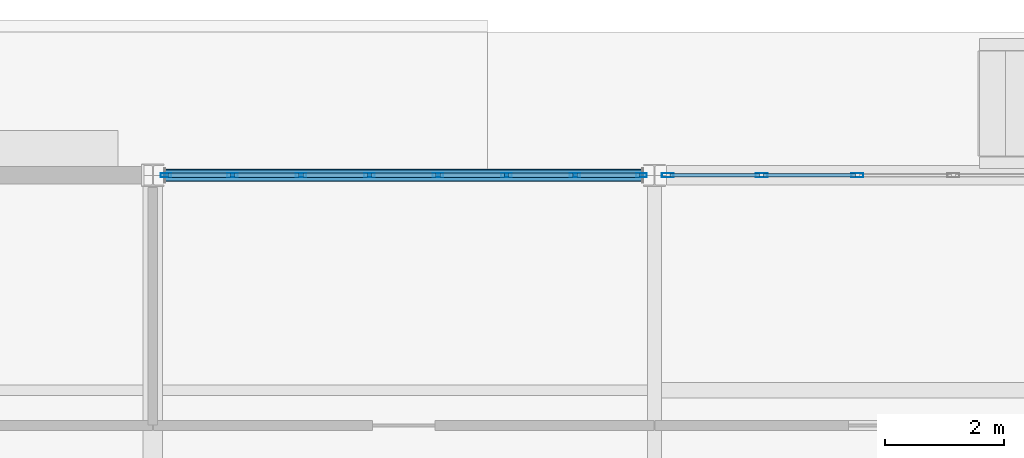
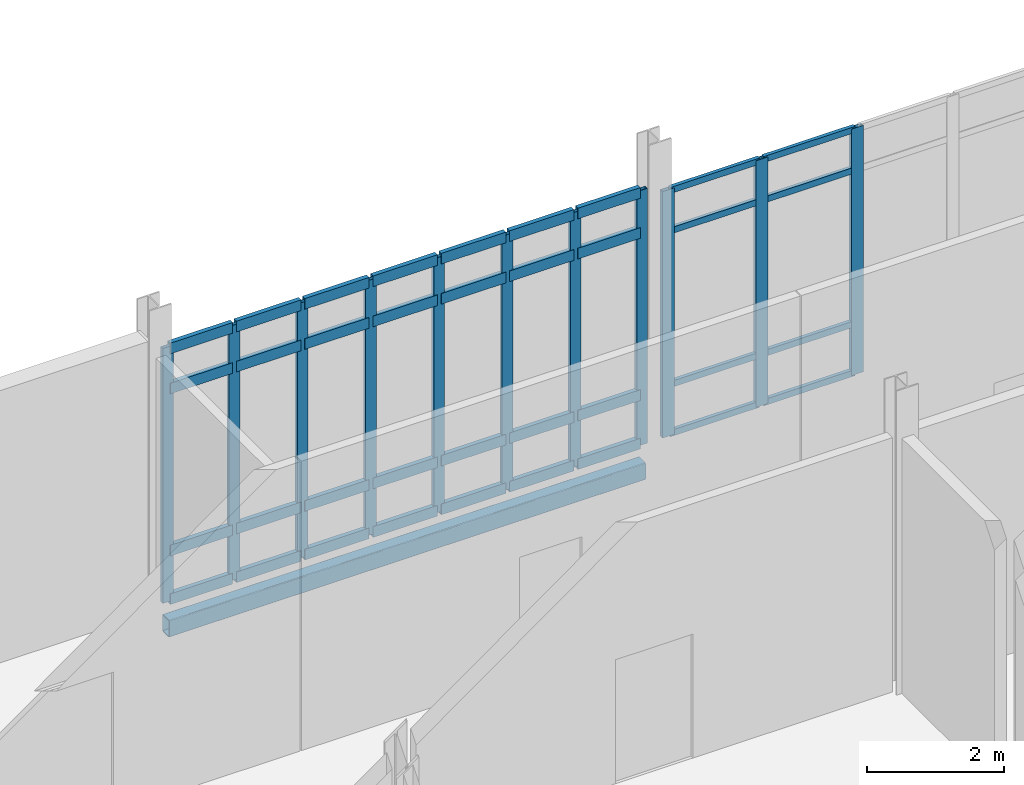
# One storey, part 96 of 229: 47 members, 1 beam, 2 elements without a shape of their own.
"""IFC4 building model written with IfcOpenShell, lengths in metres."""

import ifcopenshell
import ifcopenshell.guid

model = None  # the IFC model being written
_history = None  # IfcOwnerHistory: only IFC2X3 demands one
_inside = {}  # id of a spatial element -> (the spatial element, [elements in it])
_under = {}  # id of a project, library or spatial element -> (it, [spatial elements below it])
_declared = {}  # id of a project -> (the project, [libraries it declares])
_typed = {}  # id of a type object -> (the type object, [elements of that type])
_made_of = {}  # id of a material, layer set ... -> (it, [elements and type objects made of it])


def new_model(schema):
    """Start an empty IFC model of exactly this schema.

    Asked for "IFC4X3", IfcOpenShell would pick the latest addendum, in which some entities
    have other attributes; the version numbers below select the first issue.
    IFC2X3 requires an IfcOwnerHistory on every rooted entity: one is made here for all.
    """
    global model, _history
    if schema == "IFC4X3":
        model = ifcopenshell.file(schema_version=(4, 3, 0, 0))
    else:
        model = ifcopenshell.file(schema=schema)
    _inside.clear()
    _under.clear()
    _declared.clear()
    _typed.clear()
    _made_of.clear()
    _history = None
    if model.schema == "IFC2X3":
        org = make("IfcOrganization", Name="unknown")
        user = make(
            "IfcPersonAndOrganization",
            ThePerson=make("IfcPerson", FamilyName="unknown"),
            TheOrganization=org,
        )
        app = make(
            "IfcApplication",
            ApplicationDeveloper=org,
            Version="unknown",
            ApplicationFullName="unknown",
            ApplicationIdentifier="unknown",
        )
        _history = make(
            "IfcOwnerHistory",
            OwningUser=user,
            OwningApplication=app,
            ChangeAction="ADDED",
            CreationDate=0,
        )
    return model


def make(cls, **values):
    """One entity of the class cls with the attributes given. An attribute that is None is left unset."""
    return model.create_entity(
        cls, **{name: value for name, value in values.items() if value is not None}
    )


def rooted(cls, **values):
    """An entity with a GlobalId (a new one), such as an element, a storey or a relation."""
    return make(cls, GlobalId=ifcopenshell.guid.new(), OwnerHistory=_history, **values)


def si_unit(unit_type, name, prefix=None):
    """IfcSIUnit, for example si_unit("LENGTHUNIT", "METRE", prefix="MILLI")."""
    return make("IfcSIUnit", UnitType=unit_type, Prefix=prefix, Name=name)


def assignment(units):
    """IfcUnitAssignment: the units of a project."""
    return None if units is None else make("IfcUnitAssignment", Units=units)


def point(xyz):
    """IfcCartesianPoint."""
    return None if xyz is None else make("IfcCartesianPoint", Coordinates=xyz)


def direction(xyz):
    """IfcDirection."""
    return None if xyz is None else make("IfcDirection", DirectionRatios=xyz)


def frame(location, z_axis=None, x_axis=None):
    """IfcAxis2Placement3D, a coordinate frame: its origin and axes. An axis left out is left unset."""
    return make(
        "IfcAxis2Placement3D",
        Location=point(location),
        Axis=direction(z_axis),
        RefDirection=direction(x_axis),
    )


def frame_2d(location, x_axis=None):
    """IfcAxis2Placement2D, a coordinate frame in the plane: its origin and x axis."""
    return make(
        "IfcAxis2Placement2D", Location=point(location), RefDirection=direction(x_axis)
    )


def origin():
    """The frame at (0, 0, 0) with its axes left unset."""
    return frame((0.0, 0.0, 0.0))


def origin_2d():
    """The frame at (0, 0) in the plane with its x axis left unset."""
    return frame_2d((0.0, 0.0))


def place(relative_to, where):
    """IfcLocalPlacement: puts the frame where relative to a parent placement (None: the world)."""
    return make(
        "IfcLocalPlacement", PlacementRelTo=relative_to, RelativePlacement=where
    )


def context(
    kind, dimensions, precision=None, world=None, true_north=None, identifier=None
):
    """IfcGeometricRepresentationContext, for example the 3D "Model" context."""
    return make(
        "IfcGeometricRepresentationContext",
        ContextIdentifier=identifier,
        ContextType=kind,
        CoordinateSpaceDimension=dimensions,
        Precision=precision,
        WorldCoordinateSystem=world,
        TrueNorth=true_north,
    )


def subcontext(parent, identifier, kind, view, scale=None):
    """IfcGeometricRepresentationSubContext, for example "Body" below "Model"."""
    return make(
        "IfcGeometricRepresentationSubContext",
        ContextIdentifier=identifier,
        ContextType=kind,
        ParentContext=parent,
        TargetScale=scale,
        TargetView=view,
    )


def project(units=None, contexts=None):
    """IfcProject with its units and contexts."""
    return rooted(
        "IfcProject",
        Name="project",
        RepresentationContexts=contexts,
        UnitsInContext=assignment(units),
    )


def spatial(cls, under=None, at=None, **own):
    """A site, building, storey or space (cls), placed at a placement, below another one or the project."""
    s = rooted(cls, ObjectPlacement=at, **own)
    if under is not None:
        _under.setdefault(under.id(), (under, []))[1].append(s)
    return s


def profile(cls, at=None, kind="AREA", **sizes):
    """A parametric profile (cls). Its sizes go by their IFC names, for example OverallWidth=200.0."""
    return make(cls, ProfileType=kind, Position=at, **sizes)


def hollow_rectangle(**sizes):
    """IfcRectangleHollowProfileDef."""
    return profile("IfcRectangleHollowProfileDef", **sizes)


def extrude(swept, where, along, depth):
    """IfcExtrudedAreaSolid: the profile swept, set in the frame where, extruded along a direction by depth."""
    return make(
        "IfcExtrudedAreaSolid",
        SweptArea=swept,
        Position=where,
        ExtrudedDirection=direction(along),
        Depth=depth,
    )


def shape(context_of_items, identifier, shape_type, items):
    """IfcShapeRepresentation: the items that make up one representation, for example the "Body"."""
    return make(
        "IfcShapeRepresentation",
        ContextOfItems=context_of_items,
        RepresentationIdentifier=identifier,
        RepresentationType=shape_type,
        Items=items,
    )


def material(Name=None, Category=None):
    """IfcMaterial."""
    return make("IfcMaterial", Name=Name, Category=Category)


def layer(
    of_material, thickness, ventilated=None, Name=None, Category=None, Priority=None
):
    """IfcMaterialLayer: one layer of a wall or slab, of a material (None: an air gap)."""
    return make(
        "IfcMaterialLayer",
        Material=of_material,
        LayerThickness=thickness,
        IsVentilated=ventilated,
        Name=Name,
        Category=Category,
        Priority=Priority,
    )


def layer_set(layers, Name=None):
    """IfcMaterialLayerSet."""
    return make("IfcMaterialLayerSet", MaterialLayers=layers, LayerSetName=Name)


def material_profile(
    of_material, cross_section, Name=None, Category=None, Priority=None
):
    """IfcMaterialProfile: a cross section and its material."""
    return make(
        "IfcMaterialProfile",
        Name=Name,
        Material=of_material,
        Profile=cross_section,
        Priority=Priority,
        Category=Category,
    )


def profile_set(profiles, Name=None, composite=None):
    """IfcMaterialProfileSet."""
    return make(
        "IfcMaterialProfileSet",
        Name=Name,
        MaterialProfiles=profiles,
        CompositeProfile=composite,
    )


def made_of(thing, what):
    """Note that an element or type object is made of a material, layer set ...; save() writes the relation."""
    if what is not None:
        _made_of.setdefault(what.id(), (what, []))[1].append(thing)
    return thing


def type_object(cls, material=None, **own):
    """A type object (cls), such as IfcWallType, which elements share."""
    return made_of(rooted(cls, **own), material)


def element(
    cls,
    number,
    at=None,
    inside=None,
    cuts=None,
    type_object=None,
    material=None,
    context=None,
    identifier="Body",
    shape_type=None,
    held_by="IfcProductDefinitionShape",
    body=None,
    shapes=None,
    **own,
):
    """One element of the class cls, such as IfcWall. Its Tag is "e" and its number.

    at: its placement. inside: the storey or other place that contains it. cuts: it is an
    opening in that element (IfcRelVoidsElement). A single representation is given by context,
    identifier, shape_type and body (its items); several are given by shapes. held_by: the class
    of the entity that holds the representations. save() writes the other relations.
    """
    e = rooted(cls, Tag="e%d" % number, ObjectPlacement=at, **own)
    if body is not None:
        shapes = [shape(context, identifier, shape_type, body)]
    if shapes is not None:
        e.Representation = make(held_by, Representations=shapes)
    if inside is not None:
        _inside.setdefault(inside.id(), (inside, []))[1].append(e)
    if cuts is not None:
        rooted(
            "IfcRelVoidsElement", RelatingBuildingElement=cuts, RelatedOpeningElement=e
        )
    if type_object is not None:
        _typed.setdefault(type_object.id(), (type_object, []))[1].append(e)
    return made_of(e, material)


def aggregate(whole, parts):
    """IfcRelAggregates: a whole, such as a stair, and the parts it consists of."""
    return rooted("IfcRelAggregates", RelatingObject=whole, RelatedObjects=parts)


def save(model, path):
    """Write the relations noted so far, then the file.

    IfcRelAggregates (storeys below a building ...), IfcRelContainedInSpatialStructure (elements
    in a storey), IfcRelDefinesByType, IfcRelAssociatesMaterial and IfcRelDeclares: one each for
    every whole, place, type object, material and project.
    """
    for whole, parts in _under.values():
        aggregate(whole, parts)
    for where, things in _inside.values():
        rooted(
            "IfcRelContainedInSpatialStructure",
            RelatedElements=things,
            RelatingStructure=where,
        )
    for kind, things in _typed.values():
        rooted("IfcRelDefinesByType", RelatedObjects=things, RelatingType=kind)
    for what, things in _made_of.values():
        rooted("IfcRelAssociatesMaterial", RelatedObjects=things, RelatingMaterial=what)
    for by, libraries in _declared.values():
        rooted("IfcRelDeclares", RelatingContext=by, RelatedDefinitions=libraries)
    model.write(path)


model = new_model("IFC4")

# Units and contexts
model_context = context("Model", 3, precision=1e-05, world=origin(), true_north=direction((0.0, 1.0)))
body_context = subcontext(model_context, "Body", "Model", "MODEL_VIEW")
ifc_project = project(units=[si_unit("LENGTHUNIT", "METRE"), si_unit("AREAUNIT", "SQUARE_METRE"), si_unit("VOLUMEUNIT", "CUBIC_METRE"), si_unit("PLANEANGLEUNIT", "RADIAN"), si_unit("MASSUNIT", "GRAM", prefix="KILO")], contexts=[model_context])

# Site, building, storey
site_placement = place(None, origin())
site = spatial("IfcSite", under=ifc_project, at=site_placement, CompositionType="ELEMENT")
building_placement = place(site_placement, origin())
building = spatial("IfcBuilding", under=site, at=building_placement, Name="Calvrana Isthmian Art Gallery", CompositionType="ELEMENT")
storey_placement = place(building_placement, origin())
storey = spatial("IfcBuildingStorey", under=building, at=storey_placement, Name="L00", CompositionType="ELEMENT", Elevation=0.0)

# Beam
ifc_material_1 = material(Name="Steel ASTM A500 Gr C", Category="steel")
ifc_material_profile_1 = material_profile(ifc_material_1, hollow_rectangle(XDim=0.203125, YDim=0.3046875, WallThickness=0.0126953125, OuterFilletRadius=0.02490234375, at=origin_2d()), Name="HSS305X203X12.7")
ifc_profile_set_1 = profile_set([ifc_material_profile_1], Name="Steel ASTM A500 Gr C")
beam_type = type_object("IfcBeamType", Name="BM-SP-HSS305", PredefinedType="SPANDREL", material=ifc_profile_set_1)
beam_placement = place(storey_placement, frame((38.597900390625, 112.800048828125, -0.4375), z_axis=(1.0, 0.0, 0.0), x_axis=(0.0, 1.0, 0.0)))
element("IfcBeam", 1, at=beam_placement, inside=storey, type_object=beam_type, Name="Girder X L00 06-07/P", PredefinedType="SPANDREL", context=body_context, shape_type="SweptSolid", body=[
    extrude(hollow_rectangle(XDim=0.203125, YDim=0.3046875, WallThickness=0.0126953125, OuterFilletRadius=0.02490234375, at=origin_2d()), origin(), (0.0, 0.0, 1.0), 8.005126953125),
])

# Curtain wall, members
ifc_material_2 = material(Name="Anodized bronze aluminium 6063-T6", Category="aluminium")
ifc_layer_1 = layer(ifc_material_2, 0.179931640625, Name="Anodized bronze aluminium 6063-T6")
ifc_layer_set_1 = layer_set([ifc_layer_1], Name="Anodized bronze aluminium 6063-T6")
curtain_wall_type_1 = type_object("IfcCurtainWallType", Name="CW-STICK-080X45", PredefinedType="NOTDEFINED", material=ifc_layer_set_1)
curtain_wall_1_placement = place(storey_placement, origin())
curtain_wall_1 = element("IfcCurtainWall", 2, at=curtain_wall_1_placement, inside=storey, type_object=curtain_wall_type_1, Name="Curtain wall CW-044", PredefinedType="NOTDEFINED")
ifc_material_profile_2 = material_profile(ifc_material_2, hollow_rectangle(XDim=0.06494140625, YDim=0.179931640625, WallThickness=0.00439453125, at=origin_2d()), Name="CWM65X180")
ifc_profile_set_2 = profile_set([ifc_material_profile_2], Name="Anodized bronze aluminium 6063-T6")
member_type_1 = type_object("IfcMemberType", Name="CWM-CWM65X180", PredefinedType="MULLION", material=ifc_profile_set_2)
member_1_placement = place(storey_placement, frame((38.618896484375, 112.800048828125, 0.0), z_axis=(0.0, 0.0, 1.0), x_axis=(0.0, 1.0, 0.0)))
member_1 = element("IfcMember", 3, at=member_1_placement, type_object=member_type_1, Name="CW-044 mullion 1", PredefinedType="MULLION", context=body_context, shape_type="SweptSolid", body=[
    extrude(hollow_rectangle(XDim=0.06494140625, YDim=0.179931640625, WallThickness=0.00439453125, at=origin_2d()), origin(), (0.0, 0.0, 1.0), 4.528076171875),
])
member_2_placement = place(storey_placement, frame((39.733154296875, 112.800048828125, 0.0), z_axis=(0.0, 0.0, 1.0), x_axis=(0.0, 1.0, 0.0)))
member_2 = element("IfcMember", 4, at=member_2_placement, type_object=member_type_1, Name="CW-044 mullion 2", PredefinedType="MULLION", context=body_context, shape_type="SweptSolid", body=[
    extrude(hollow_rectangle(XDim=0.06494140625, YDim=0.179931640625, WallThickness=0.00439453125, at=origin_2d()), origin(), (0.0, 0.0, 1.0), 4.528076171875),
])
member_3_placement = place(storey_placement, frame((40.8798828125, 112.800048828125, 0.0), z_axis=(0.0, 0.0, 1.0), x_axis=(0.0, 1.0, 0.0)))
member_3 = element("IfcMember", 5, at=member_3_placement, type_object=member_type_1, Name="CW-044 mullion 3", PredefinedType="MULLION", context=body_context, shape_type="SweptSolid", body=[
    extrude(hollow_rectangle(XDim=0.06494140625, YDim=0.179931640625, WallThickness=0.00439453125, at=origin_2d()), origin(), (0.0, 0.0, 1.0), 4.528076171875),
])
member_4_placement = place(storey_placement, frame((42.026611328125, 112.800048828125, 0.0), z_axis=(0.0, 0.0, 1.0), x_axis=(0.0, 1.0, 0.0)))
member_4 = element("IfcMember", 6, at=member_4_placement, type_object=member_type_1, Name="CW-044 mullion 4", PredefinedType="MULLION", context=body_context, shape_type="SweptSolid", body=[
    extrude(hollow_rectangle(XDim=0.06494140625, YDim=0.179931640625, WallThickness=0.00439453125, at=origin_2d()), origin(), (0.0, 0.0, 1.0), 4.528076171875),
])
member_5_placement = place(storey_placement, frame((43.17333984375, 112.800048828125, 0.0), z_axis=(0.0, 0.0, 1.0), x_axis=(0.0, 1.0, 0.0)))
member_5 = element("IfcMember", 7, at=member_5_placement, type_object=member_type_1, Name="CW-044 mullion 5", PredefinedType="MULLION", context=body_context, shape_type="SweptSolid", body=[
    extrude(hollow_rectangle(XDim=0.06494140625, YDim=0.179931640625, WallThickness=0.00439453125, at=origin_2d()), origin(), (0.0, 0.0, 1.0), 4.528076171875),
])
member_6_placement = place(storey_placement, frame((44.320068359375, 112.800048828125, 0.0), z_axis=(0.0, 0.0, 1.0), x_axis=(0.0, 1.0, 0.0)))
member_6 = element("IfcMember", 8, at=member_6_placement, type_object=member_type_1, Name="CW-044 mullion 6", PredefinedType="MULLION", context=body_context, shape_type="SweptSolid", body=[
    extrude(hollow_rectangle(XDim=0.06494140625, YDim=0.179931640625, WallThickness=0.00439453125, at=origin_2d()), origin(), (0.0, 0.0, 1.0), 4.528076171875),
])
member_7_placement = place(storey_placement, frame((45.466796875, 112.800048828125, 0.0), z_axis=(0.0, 0.0, 1.0), x_axis=(0.0, 1.0, 0.0)))
member_7 = element("IfcMember", 9, at=member_7_placement, type_object=member_type_1, Name="CW-044 mullion 7", PredefinedType="MULLION", context=body_context, shape_type="SweptSolid", body=[
    extrude(hollow_rectangle(XDim=0.06494140625, YDim=0.179931640625, WallThickness=0.00439453125, at=origin_2d()), origin(), (0.0, 0.0, 1.0), 4.528076171875),
])
member_8_placement = place(storey_placement, frame((46.5810546875, 112.800048828125, 0.0), z_axis=(0.0, 0.0, 1.0), x_axis=(0.0, 1.0, 0.0)))
member_8 = element("IfcMember", 10, at=member_8_placement, type_object=member_type_1, Name="CW-044 mullion 8", PredefinedType="MULLION", context=body_context, shape_type="SweptSolid", body=[
    extrude(hollow_rectangle(XDim=0.06494140625, YDim=0.179931640625, WallThickness=0.00439453125, at=origin_2d()), origin(), (0.0, 0.0, 1.0), 4.528076171875),
])

ifc_layer_2 = layer(ifc_material_2, 0.179931640625, Name="Anodized bronze aluminium 6063-T6")
ifc_layer_set_2 = layer_set([ifc_layer_2], Name="Anodized bronze aluminium 6063-T6")
curtain_wall_type_2 = type_object("IfcCurtainWallType", Name="CW-UNIT-080X44", PredefinedType="USERDEFINED", material=ifc_layer_set_2)
curtain_wall_2_placement = place(storey_placement, origin())
curtain_wall_2 = element("IfcCurtainWall", 11, at=curtain_wall_2_placement, inside=storey, type_object=curtain_wall_type_2, Name="Curtain wall CW-045", ObjectType="UNITISED CURTAIN WALL", PredefinedType="USERDEFINED")
ifc_material_profile_3 = material_profile(ifc_material_2, hollow_rectangle(XDim=0.070068359375, YDim=0.199951171875, WallThickness=0.0048828125, at=origin_2d()), Name="CWM70X200")
ifc_profile_set_3 = profile_set([ifc_material_profile_3], Name="Anodized bronze aluminium 6063-T6")
member_type_2 = type_object("IfcMemberType", Name="CWM-CWM70X200", PredefinedType="MULLION", material=ifc_profile_set_3)
member_9_placement = place(storey_placement, frame((47.021484375, 112.800048828125, 0.0), z_axis=(0.0, 0.0, 1.0), x_axis=(0.0, 1.0, 0.0)))
member_9 = element("IfcMember", 12, at=member_9_placement, type_object=member_type_2, Name="CW-045 mullion 1", PredefinedType="MULLION", context=body_context, shape_type="SweptSolid", body=[
    extrude(hollow_rectangle(XDim=0.070068359375, YDim=0.199951171875, WallThickness=0.0048828125, at=origin_2d()), origin(), (0.0, 0.0, 1.0), 4.3779296875),
])
member_10_placement = place(storey_placement, frame((48.592041015625, 112.800048828125, 0.0), z_axis=(0.0, 0.0, 1.0), x_axis=(0.0, 1.0, 0.0)))
member_10 = element("IfcMember", 13, at=member_10_placement, type_object=member_type_2, Name="CW-045 mullion 2", PredefinedType="MULLION", context=body_context, shape_type="SweptSolid", body=[
    extrude(hollow_rectangle(XDim=0.070068359375, YDim=0.199951171875, WallThickness=0.0048828125, at=origin_2d()), origin(), (0.0, 0.0, 1.0), 4.3779296875),
])
member_11_placement = place(storey_placement, frame((50.19775390625, 112.800048828125, 0.0), z_axis=(0.0, 0.0, 1.0), x_axis=(0.0, 1.0, 0.0)))
member_11 = element("IfcMember", 14, at=member_11_placement, type_object=member_type_2, Name="CW-045 mullion 3", PredefinedType="MULLION", context=body_context, shape_type="SweptSolid", body=[
    extrude(hollow_rectangle(XDim=0.070068359375, YDim=0.199951171875, WallThickness=0.0048828125, at=origin_2d()), origin(), (0.0, 0.0, 1.0), 4.3779296875),
])
ifc_material_profile_4 = material_profile(ifc_material_2, hollow_rectangle(XDim=0.06005859375, YDim=0.110107421875, WallThickness=0.00341796875, at=origin_2d()), Name="CWT60X110")
ifc_profile_set_4 = profile_set([ifc_material_profile_4], Name="Anodized bronze aluminium 6063-T6")
member_type_3 = type_object("IfcMemberType", Name="CWT-CWT60X110", PredefinedType="USERDEFINED", material=ifc_profile_set_4)
member_12_placement = place(storey_placement, frame((47.056396484375, 112.800048828125, 0.030029296875), z_axis=(1.0, 0.0, 0.0), x_axis=(0.0, 1.0, 0.0)))
member_12 = element("IfcMember", 15, at=member_12_placement, type_object=member_type_3, Name="CW-045 transom 1.1", ObjectType="TRANSOM", PredefinedType="USERDEFINED", context=body_context, shape_type="SweptSolid", body=[
    extrude(hollow_rectangle(XDim=0.06005859375, YDim=0.110107421875, WallThickness=0.00341796875, at=origin_2d()), origin(), (0.0, 0.0, 1.0), 1.500732421875),
])
member_13_placement = place(storey_placement, frame((47.056396484375, 112.800048828125, 0.89990234375), z_axis=(1.0, 0.0, 0.0), x_axis=(0.0, 1.0, 0.0)))
member_13 = element("IfcMember", 16, at=member_13_placement, type_object=member_type_3, Name="CW-045 transom 1.2", ObjectType="TRANSOM", PredefinedType="USERDEFINED", context=body_context, shape_type="SweptSolid", body=[
    extrude(hollow_rectangle(XDim=0.06005859375, YDim=0.110107421875, WallThickness=0.00341796875, at=origin_2d()), origin(), (0.0, 0.0, 1.0), 1.500732421875),
])
member_14_placement = place(storey_placement, frame((47.056396484375, 112.800048828125, 3.6279296875), z_axis=(1.0, 0.0, 0.0), x_axis=(0.0, 1.0, 0.0)))
member_14 = element("IfcMember", 17, at=member_14_placement, type_object=member_type_3, Name="CW-045 transom 1.3", ObjectType="TRANSOM", PredefinedType="USERDEFINED", context=body_context, shape_type="SweptSolid", body=[
    extrude(hollow_rectangle(XDim=0.06005859375, YDim=0.110107421875, WallThickness=0.00341796875, at=origin_2d()), origin(), (0.0, 0.0, 1.0), 1.500732421875),
])
member_15_placement = place(storey_placement, frame((47.056396484375, 112.800048828125, 4.347900390625), z_axis=(1.0, 0.0, 0.0), x_axis=(0.0, 1.0, 0.0)))
member_15 = element("IfcMember", 18, at=member_15_placement, type_object=member_type_3, Name="CW-045 transom 1.4", ObjectType="TRANSOM", PredefinedType="USERDEFINED", context=body_context, shape_type="SweptSolid", body=[
    extrude(hollow_rectangle(XDim=0.06005859375, YDim=0.110107421875, WallThickness=0.00341796875, at=origin_2d()), origin(), (0.0, 0.0, 1.0), 1.500732421875),
])
member_16_placement = place(storey_placement, frame((48.627197265625, 112.800048828125, 0.030029296875), z_axis=(1.0, 0.0, 0.0), x_axis=(0.0, 1.0, 0.0)))
member_16 = element("IfcMember", 19, at=member_16_placement, type_object=member_type_3, Name="CW-045 transom 2.1", ObjectType="TRANSOM", PredefinedType="USERDEFINED", context=body_context, shape_type="SweptSolid", body=[
    extrude(hollow_rectangle(XDim=0.06005859375, YDim=0.110107421875, WallThickness=0.00341796875, at=origin_2d()), origin(), (0.0, 0.0, 1.0), 1.535400390625),
])
member_17_placement = place(storey_placement, frame((48.627197265625, 112.800048828125, 0.89990234375), z_axis=(1.0, 0.0, 0.0), x_axis=(0.0, 1.0, 0.0)))
member_17 = element("IfcMember", 20, at=member_17_placement, type_object=member_type_3, Name="CW-045 transom 2.2", ObjectType="TRANSOM", PredefinedType="USERDEFINED", context=body_context, shape_type="SweptSolid", body=[
    extrude(hollow_rectangle(XDim=0.06005859375, YDim=0.110107421875, WallThickness=0.00341796875, at=origin_2d()), origin(), (0.0, 0.0, 1.0), 1.535400390625),
])
member_18_placement = place(storey_placement, frame((48.627197265625, 112.800048828125, 3.6279296875), z_axis=(1.0, 0.0, 0.0), x_axis=(0.0, 1.0, 0.0)))
member_18 = element("IfcMember", 21, at=member_18_placement, type_object=member_type_3, Name="CW-045 transom 2.3", ObjectType="TRANSOM", PredefinedType="USERDEFINED", context=body_context, shape_type="SweptSolid", body=[
    extrude(hollow_rectangle(XDim=0.06005859375, YDim=0.110107421875, WallThickness=0.00341796875, at=origin_2d()), origin(), (0.0, 0.0, 1.0), 1.535400390625),
])
member_19_placement = place(storey_placement, frame((48.627197265625, 112.800048828125, 4.347900390625), z_axis=(1.0, 0.0, 0.0), x_axis=(0.0, 1.0, 0.0)))
member_19 = element("IfcMember", 22, at=member_19_placement, type_object=member_type_3, Name="CW-045 transom 2.4", ObjectType="TRANSOM", PredefinedType="USERDEFINED", context=body_context, shape_type="SweptSolid", body=[
    extrude(hollow_rectangle(XDim=0.06005859375, YDim=0.110107421875, WallThickness=0.00341796875, at=origin_2d()), origin(), (0.0, 0.0, 1.0), 1.535400390625),
])
aggregate(curtain_wall_2, [member_9, member_10, member_11, member_12, member_13, member_14, member_15, member_16, member_17, member_18, member_19])

# Member
ifc_material_profile_5 = material_profile(ifc_material_2, hollow_rectangle(XDim=0.074951171875, YDim=0.18994140625, WallThickness=0.00439453125, at=origin_2d()), Name="CWT75X190")
ifc_profile_set_5 = profile_set([ifc_material_profile_5], Name="Anodized bronze aluminium 6063-T6")
member_type_4 = type_object("IfcMemberType", Name="CWT-CWT75X190", PredefinedType="USERDEFINED", material=ifc_profile_set_5)
member_20_placement = place(storey_placement, frame((38.651611328125, 112.800048828125, 0.03759765625), z_axis=(1.0, 0.0, 0.0), x_axis=(0.0, 1.0, 0.0)))
member_20 = element("IfcMember", 23, at=member_20_placement, type_object=member_type_4, Name="CW-044 transom 1.1", ObjectType="TRANSOM", PredefinedType="USERDEFINED", context=body_context, shape_type="SweptSolid", body=[
    extrude(hollow_rectangle(XDim=0.074951171875, YDim=0.18994140625, WallThickness=0.00439453125, at=origin_2d()), origin(), (0.0, 0.0, 1.0), 1.049072265625),
])

member_21_placement = place(storey_placement, frame((38.651611328125, 112.800048828125, 0.89990234375), z_axis=(1.0, 0.0, 0.0), x_axis=(0.0, 1.0, 0.0)))
member_21 = element("IfcMember", 24, at=member_21_placement, type_object=member_type_4, Name="CW-044 transom 1.2", ObjectType="TRANSOM", PredefinedType="USERDEFINED", context=body_context, shape_type="SweptSolid", body=[
    extrude(hollow_rectangle(XDim=0.074951171875, YDim=0.18994140625, WallThickness=0.00439453125, at=origin_2d()), origin(), (0.0, 0.0, 1.0), 1.049072265625),
])

member_22_placement = place(storey_placement, frame((38.651611328125, 112.800048828125, 3.778076171875), z_axis=(1.0, 0.0, 0.0), x_axis=(0.0, 1.0, 0.0)))
member_22 = element("IfcMember", 25, at=member_22_placement, type_object=member_type_4, Name="CW-044 transom 1.3", ObjectType="TRANSOM", PredefinedType="USERDEFINED", context=body_context, shape_type="SweptSolid", body=[
    extrude(hollow_rectangle(XDim=0.074951171875, YDim=0.18994140625, WallThickness=0.00439453125, at=origin_2d()), origin(), (0.0, 0.0, 1.0), 1.049072265625),
])

member_23_placement = place(storey_placement, frame((38.651611328125, 112.800048828125, 4.490478515625), z_axis=(1.0, 0.0, 0.0), x_axis=(0.0, 1.0, 0.0)))
member_23 = element("IfcMember", 26, at=member_23_placement, type_object=member_type_4, Name="CW-044 transom 1.4", ObjectType="TRANSOM", PredefinedType="USERDEFINED", context=body_context, shape_type="SweptSolid", body=[
    extrude(hollow_rectangle(XDim=0.074951171875, YDim=0.18994140625, WallThickness=0.00439453125, at=origin_2d()), origin(), (0.0, 0.0, 1.0), 1.049072265625),
])

member_24_placement = place(storey_placement, frame((39.765625, 112.800048828125, 0.03759765625), z_axis=(1.0, 0.0, 0.0), x_axis=(0.0, 1.0, 0.0)))
member_24 = element("IfcMember", 27, at=member_24_placement, type_object=member_type_4, Name="CW-044 transom 2.1", ObjectType="TRANSOM", PredefinedType="USERDEFINED", context=body_context, shape_type="SweptSolid", body=[
    extrude(hollow_rectangle(XDim=0.074951171875, YDim=0.18994140625, WallThickness=0.00439453125, at=origin_2d()), origin(), (0.0, 0.0, 1.0), 1.081787109375),
])

member_25_placement = place(storey_placement, frame((39.765625, 112.800048828125, 0.89990234375), z_axis=(1.0, 0.0, 0.0), x_axis=(0.0, 1.0, 0.0)))
member_25 = element("IfcMember", 28, at=member_25_placement, type_object=member_type_4, Name="CW-044 transom 2.2", ObjectType="TRANSOM", PredefinedType="USERDEFINED", context=body_context, shape_type="SweptSolid", body=[
    extrude(hollow_rectangle(XDim=0.074951171875, YDim=0.18994140625, WallThickness=0.00439453125, at=origin_2d()), origin(), (0.0, 0.0, 1.0), 1.081787109375),
])

member_26_placement = place(storey_placement, frame((39.765625, 112.800048828125, 3.778076171875), z_axis=(1.0, 0.0, 0.0), x_axis=(0.0, 1.0, 0.0)))
member_26 = element("IfcMember", 29, at=member_26_placement, type_object=member_type_4, Name="CW-044 transom 2.3", ObjectType="TRANSOM", PredefinedType="USERDEFINED", context=body_context, shape_type="SweptSolid", body=[
    extrude(hollow_rectangle(XDim=0.074951171875, YDim=0.18994140625, WallThickness=0.00439453125, at=origin_2d()), origin(), (0.0, 0.0, 1.0), 1.081787109375),
])

member_27_placement = place(storey_placement, frame((39.765625, 112.800048828125, 4.490478515625), z_axis=(1.0, 0.0, 0.0), x_axis=(0.0, 1.0, 0.0)))
member_27 = element("IfcMember", 30, at=member_27_placement, type_object=member_type_4, Name="CW-044 transom 2.4", ObjectType="TRANSOM", PredefinedType="USERDEFINED", context=body_context, shape_type="SweptSolid", body=[
    extrude(hollow_rectangle(XDim=0.074951171875, YDim=0.18994140625, WallThickness=0.00439453125, at=origin_2d()), origin(), (0.0, 0.0, 1.0), 1.081787109375),
])

member_28_placement = place(storey_placement, frame((40.912353515625, 112.800048828125, 0.03759765625), z_axis=(1.0, 0.0, 0.0), x_axis=(0.0, 1.0, 0.0)))
member_28 = element("IfcMember", 31, at=member_28_placement, type_object=member_type_4, Name="CW-044 transom 3.1", ObjectType="TRANSOM", PredefinedType="USERDEFINED", context=body_context, shape_type="SweptSolid", body=[
    extrude(hollow_rectangle(XDim=0.074951171875, YDim=0.18994140625, WallThickness=0.00439453125, at=origin_2d()), origin(), (0.0, 0.0, 1.0), 1.081787109375),
])

member_29_placement = place(storey_placement, frame((40.912353515625, 112.800048828125, 0.89990234375), z_axis=(1.0, 0.0, 0.0), x_axis=(0.0, 1.0, 0.0)))
member_29 = element("IfcMember", 32, at=member_29_placement, type_object=member_type_4, Name="CW-044 transom 3.2", ObjectType="TRANSOM", PredefinedType="USERDEFINED", context=body_context, shape_type="SweptSolid", body=[
    extrude(hollow_rectangle(XDim=0.074951171875, YDim=0.18994140625, WallThickness=0.00439453125, at=origin_2d()), origin(), (0.0, 0.0, 1.0), 1.081787109375),
])

member_30_placement = place(storey_placement, frame((40.912353515625, 112.800048828125, 3.778076171875), z_axis=(1.0, 0.0, 0.0), x_axis=(0.0, 1.0, 0.0)))
member_30 = element("IfcMember", 33, at=member_30_placement, type_object=member_type_4, Name="CW-044 transom 3.3", ObjectType="TRANSOM", PredefinedType="USERDEFINED", context=body_context, shape_type="SweptSolid", body=[
    extrude(hollow_rectangle(XDim=0.074951171875, YDim=0.18994140625, WallThickness=0.00439453125, at=origin_2d()), origin(), (0.0, 0.0, 1.0), 1.081787109375),
])

member_31_placement = place(storey_placement, frame((40.912353515625, 112.800048828125, 4.490478515625), z_axis=(1.0, 0.0, 0.0), x_axis=(0.0, 1.0, 0.0)))
member_31 = element("IfcMember", 34, at=member_31_placement, type_object=member_type_4, Name="CW-044 transom 3.4", ObjectType="TRANSOM", PredefinedType="USERDEFINED", context=body_context, shape_type="SweptSolid", body=[
    extrude(hollow_rectangle(XDim=0.074951171875, YDim=0.18994140625, WallThickness=0.00439453125, at=origin_2d()), origin(), (0.0, 0.0, 1.0), 1.081787109375),
])

member_32_placement = place(storey_placement, frame((42.05908203125, 112.800048828125, 0.03759765625), z_axis=(1.0, 0.0, 0.0), x_axis=(0.0, 1.0, 0.0)))
member_32 = element("IfcMember", 35, at=member_32_placement, type_object=member_type_4, Name="CW-044 transom 4.1", ObjectType="TRANSOM", PredefinedType="USERDEFINED", context=body_context, shape_type="SweptSolid", body=[
    extrude(hollow_rectangle(XDim=0.074951171875, YDim=0.18994140625, WallThickness=0.00439453125, at=origin_2d()), origin(), (0.0, 0.0, 1.0), 1.081787109375),
])

member_33_placement = place(storey_placement, frame((42.05908203125, 112.800048828125, 0.89990234375), z_axis=(1.0, 0.0, 0.0), x_axis=(0.0, 1.0, 0.0)))
member_33 = element("IfcMember", 36, at=member_33_placement, type_object=member_type_4, Name="CW-044 transom 4.2", ObjectType="TRANSOM", PredefinedType="USERDEFINED", context=body_context, shape_type="SweptSolid", body=[
    extrude(hollow_rectangle(XDim=0.074951171875, YDim=0.18994140625, WallThickness=0.00439453125, at=origin_2d()), origin(), (0.0, 0.0, 1.0), 1.081787109375),
])

member_34_placement = place(storey_placement, frame((42.05908203125, 112.800048828125, 3.778076171875), z_axis=(1.0, 0.0, 0.0), x_axis=(0.0, 1.0, 0.0)))
member_34 = element("IfcMember", 37, at=member_34_placement, type_object=member_type_4, Name="CW-044 transom 4.3", ObjectType="TRANSOM", PredefinedType="USERDEFINED", context=body_context, shape_type="SweptSolid", body=[
    extrude(hollow_rectangle(XDim=0.074951171875, YDim=0.18994140625, WallThickness=0.00439453125, at=origin_2d()), origin(), (0.0, 0.0, 1.0), 1.081787109375),
])

member_35_placement = place(storey_placement, frame((42.05908203125, 112.800048828125, 4.490478515625), z_axis=(1.0, 0.0, 0.0), x_axis=(0.0, 1.0, 0.0)))
member_35 = element("IfcMember", 38, at=member_35_placement, type_object=member_type_4, Name="CW-044 transom 4.4", ObjectType="TRANSOM", PredefinedType="USERDEFINED", context=body_context, shape_type="SweptSolid", body=[
    extrude(hollow_rectangle(XDim=0.074951171875, YDim=0.18994140625, WallThickness=0.00439453125, at=origin_2d()), origin(), (0.0, 0.0, 1.0), 1.081787109375),
])

member_36_placement = place(storey_placement, frame((43.205810546875, 112.800048828125, 0.03759765625), z_axis=(1.0, 0.0, 0.0), x_axis=(0.0, 1.0, 0.0)))
member_36 = element("IfcMember", 39, at=member_36_placement, type_object=member_type_4, Name="CW-044 transom 5.1", ObjectType="TRANSOM", PredefinedType="USERDEFINED", context=body_context, shape_type="SweptSolid", body=[
    extrude(hollow_rectangle(XDim=0.074951171875, YDim=0.18994140625, WallThickness=0.00439453125, at=origin_2d()), origin(), (0.0, 0.0, 1.0), 1.081787109375),
])

member_37_placement = place(storey_placement, frame((43.205810546875, 112.800048828125, 0.89990234375), z_axis=(1.0, 0.0, 0.0), x_axis=(0.0, 1.0, 0.0)))
member_37 = element("IfcMember", 40, at=member_37_placement, type_object=member_type_4, Name="CW-044 transom 5.2", ObjectType="TRANSOM", PredefinedType="USERDEFINED", context=body_context, shape_type="SweptSolid", body=[
    extrude(hollow_rectangle(XDim=0.074951171875, YDim=0.18994140625, WallThickness=0.00439453125, at=origin_2d()), origin(), (0.0, 0.0, 1.0), 1.081787109375),
])

member_38_placement = place(storey_placement, frame((43.205810546875, 112.800048828125, 3.778076171875), z_axis=(1.0, 0.0, 0.0), x_axis=(0.0, 1.0, 0.0)))
member_38 = element("IfcMember", 41, at=member_38_placement, type_object=member_type_4, Name="CW-044 transom 5.3", ObjectType="TRANSOM", PredefinedType="USERDEFINED", context=body_context, shape_type="SweptSolid", body=[
    extrude(hollow_rectangle(XDim=0.074951171875, YDim=0.18994140625, WallThickness=0.00439453125, at=origin_2d()), origin(), (0.0, 0.0, 1.0), 1.081787109375),
])

member_39_placement = place(storey_placement, frame((43.205810546875, 112.800048828125, 4.490478515625), z_axis=(1.0, 0.0, 0.0), x_axis=(0.0, 1.0, 0.0)))
member_39 = element("IfcMember", 42, at=member_39_placement, type_object=member_type_4, Name="CW-044 transom 5.4", ObjectType="TRANSOM", PredefinedType="USERDEFINED", context=body_context, shape_type="SweptSolid", body=[
    extrude(hollow_rectangle(XDim=0.074951171875, YDim=0.18994140625, WallThickness=0.00439453125, at=origin_2d()), origin(), (0.0, 0.0, 1.0), 1.081787109375),
])

member_40_placement = place(storey_placement, frame((44.3525390625, 112.800048828125, 0.03759765625), z_axis=(1.0, 0.0, 0.0), x_axis=(0.0, 1.0, 0.0)))
member_40 = element("IfcMember", 43, at=member_40_placement, type_object=member_type_4, Name="CW-044 transom 6.1", ObjectType="TRANSOM", PredefinedType="USERDEFINED", context=body_context, shape_type="SweptSolid", body=[
    extrude(hollow_rectangle(XDim=0.074951171875, YDim=0.18994140625, WallThickness=0.00439453125, at=origin_2d()), origin(), (0.0, 0.0, 1.0), 1.081787109375),
])

member_41_placement = place(storey_placement, frame((44.3525390625, 112.800048828125, 0.89990234375), z_axis=(1.0, 0.0, 0.0), x_axis=(0.0, 1.0, 0.0)))
member_41 = element("IfcMember", 44, at=member_41_placement, type_object=member_type_4, Name="CW-044 transom 6.2", ObjectType="TRANSOM", PredefinedType="USERDEFINED", context=body_context, shape_type="SweptSolid", body=[
    extrude(hollow_rectangle(XDim=0.074951171875, YDim=0.18994140625, WallThickness=0.00439453125, at=origin_2d()), origin(), (0.0, 0.0, 1.0), 1.081787109375),
])

member_42_placement = place(storey_placement, frame((44.3525390625, 112.800048828125, 3.778076171875), z_axis=(1.0, 0.0, 0.0), x_axis=(0.0, 1.0, 0.0)))
member_42 = element("IfcMember", 45, at=member_42_placement, type_object=member_type_4, Name="CW-044 transom 6.3", ObjectType="TRANSOM", PredefinedType="USERDEFINED", context=body_context, shape_type="SweptSolid", body=[
    extrude(hollow_rectangle(XDim=0.074951171875, YDim=0.18994140625, WallThickness=0.00439453125, at=origin_2d()), origin(), (0.0, 0.0, 1.0), 1.081787109375),
])

member_43_placement = place(storey_placement, frame((44.3525390625, 112.800048828125, 4.490478515625), z_axis=(1.0, 0.0, 0.0), x_axis=(0.0, 1.0, 0.0)))
member_43 = element("IfcMember", 46, at=member_43_placement, type_object=member_type_4, Name="CW-044 transom 6.4", ObjectType="TRANSOM", PredefinedType="USERDEFINED", context=body_context, shape_type="SweptSolid", body=[
    extrude(hollow_rectangle(XDim=0.074951171875, YDim=0.18994140625, WallThickness=0.00439453125, at=origin_2d()), origin(), (0.0, 0.0, 1.0), 1.081787109375),
])

member_44_placement = place(storey_placement, frame((45.499267578125, 112.800048828125, 0.03759765625), z_axis=(1.0, 0.0, 0.0), x_axis=(0.0, 1.0, 0.0)))
member_44 = element("IfcMember", 47, at=member_44_placement, type_object=member_type_4, Name="CW-044 transom 7.1", ObjectType="TRANSOM", PredefinedType="USERDEFINED", context=body_context, shape_type="SweptSolid", body=[
    extrude(hollow_rectangle(XDim=0.074951171875, YDim=0.18994140625, WallThickness=0.00439453125, at=origin_2d()), origin(), (0.0, 0.0, 1.0), 1.04931640625),
])

member_45_placement = place(storey_placement, frame((45.499267578125, 112.800048828125, 0.89990234375), z_axis=(1.0, 0.0, 0.0), x_axis=(0.0, 1.0, 0.0)))
member_45 = element("IfcMember", 48, at=member_45_placement, type_object=member_type_4, Name="CW-044 transom 7.2", ObjectType="TRANSOM", PredefinedType="USERDEFINED", context=body_context, shape_type="SweptSolid", body=[
    extrude(hollow_rectangle(XDim=0.074951171875, YDim=0.18994140625, WallThickness=0.00439453125, at=origin_2d()), origin(), (0.0, 0.0, 1.0), 1.04931640625),
])

member_46_placement = place(storey_placement, frame((45.499267578125, 112.800048828125, 3.778076171875), z_axis=(1.0, 0.0, 0.0), x_axis=(0.0, 1.0, 0.0)))
member_46 = element("IfcMember", 49, at=member_46_placement, type_object=member_type_4, Name="CW-044 transom 7.3", ObjectType="TRANSOM", PredefinedType="USERDEFINED", context=body_context, shape_type="SweptSolid", body=[
    extrude(hollow_rectangle(XDim=0.074951171875, YDim=0.18994140625, WallThickness=0.00439453125, at=origin_2d()), origin(), (0.0, 0.0, 1.0), 1.04931640625),
])

member_47_placement = place(storey_placement, frame((45.499267578125, 112.800048828125, 4.490478515625), z_axis=(1.0, 0.0, 0.0), x_axis=(0.0, 1.0, 0.0)))
member_47 = element("IfcMember", 50, at=member_47_placement, type_object=member_type_4, Name="CW-044 transom 7.4", ObjectType="TRANSOM", PredefinedType="USERDEFINED", context=body_context, shape_type="SweptSolid", body=[
    extrude(hollow_rectangle(XDim=0.074951171875, YDim=0.18994140625, WallThickness=0.00439453125, at=origin_2d()), origin(), (0.0, 0.0, 1.0), 1.04931640625),
])

aggregate(curtain_wall_1, [member_1, member_2, member_3, member_4, member_5, member_6, member_7, member_8, member_20, member_21, member_22, member_23, member_24, member_25, member_26, member_27, member_28, member_29, member_30, member_31, member_32, member_33, member_34, member_35, member_36, member_37, member_38, member_39, member_40, member_41, member_42, member_43, member_44, member_45, member_46, member_47])

save(model, "model.ifc")
